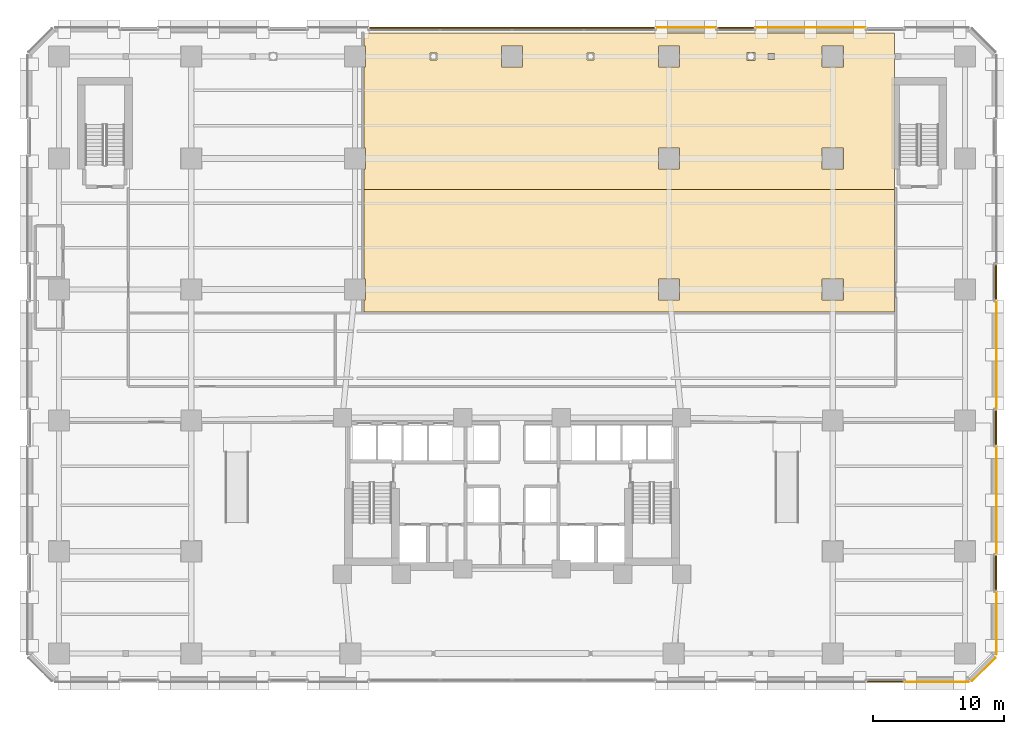
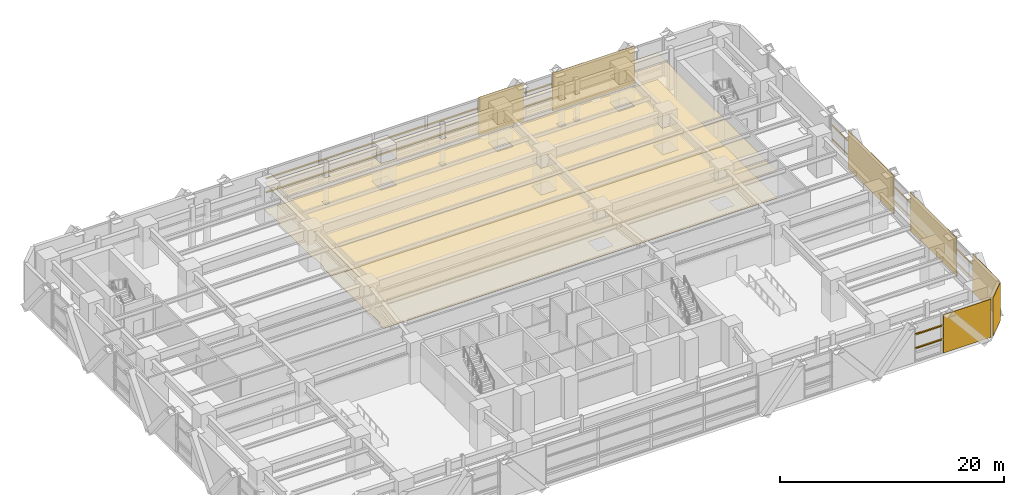
# One storey, part 25 of 26: 12 shading devices, 11 coverings.
"""IFC4 building model written with IfcOpenShell, lengths in metres."""

from ifc_helpers import new_model, si_unit, direction, frame, origin, origin_2d, place, context, subcontext, project, spatial, polyline, rectangle, outline, extrude, material, layer, layer_set, material_profile, profile_set, type_object, element, save


model = new_model("IFC4")

# Units and contexts
model_context = context("Model", 3, precision=1e-05, world=origin(), true_north=direction((0.0, 1.0)))
body_context = subcontext(model_context, "Body", "Model", "MODEL_VIEW")
ifc_project = project(units=[si_unit("LENGTHUNIT", "METRE"), si_unit("AREAUNIT", "SQUARE_METRE"), si_unit("VOLUMEUNIT", "CUBIC_METRE"), si_unit("PLANEANGLEUNIT", "RADIAN"), si_unit("MASSUNIT", "GRAM", prefix="KILO")], contexts=[model_context])

# Site, building, storey
site_placement = place(None, origin())
site = spatial("IfcSite", under=ifc_project, at=site_placement, CompositionType="ELEMENT")
building_placement = place(site_placement, origin())
building = spatial("IfcBuilding", under=site, at=building_placement, Name="Quenlor Broadcast Tower", CompositionType="ELEMENT")
storey_placement = place(building_placement, frame((0.0, 0.0, 5.0)))
storey = spatial("IfcBuildingStorey", under=building, at=storey_placement, Name="L01", CompositionType="ELEMENT", Elevation=5.0)

# Coverings
ifc_material_1 = material(Name="Acoustic Mineral Fibre Board", Category="other")
ifc_layer_1 = layer(ifc_material_1, 0.02490234375)
ifc_layer_set_1 = layer_set([ifc_layer_1], Name="Acoustic Perforated Mineral Tile Ceiling 25")
covering_type_1 = type_object("IfcCoveringType", Name="Acoustic Perforated Mineral Tile Ceiling 25", PredefinedType="CEILING", material=ifc_layer_set_1)
covering_1_placement = place(storey_placement, frame((0.0, 0.0, 2.925048828125)))
element("IfcCovering", 1, at=covering_1_placement, inside=storey, type_object=covering_type_1, Name="L01 Acoustic Ceiling L01-38", PredefinedType="CEILING", context=body_context, shape_type="SweptSolid", body=[
    extrude(outline(polyline([(-11.19189453125, 4.19189453125), (-11.19189453125, 5.80810546875), (-11.320068359375, 5.80810546875), (-11.320068359375, 12.64990234375), (29.199951171875, 12.64990234375), (29.199951171875, 3.280029296875), (-11.320068359375, 3.280029296875), (-11.320068359375, 4.19189453125), (-11.19189453125, 4.19189453125)]), holes=[polyline([(12.80810546875, 4.19189453125), (12.80810546875, 5.80810546875), (11.19189453125, 5.80810546875), (11.19189453125, 4.19189453125), (12.80810546875, 4.19189453125)]), polyline([(25.30810546875, 4.19189453125), (25.30810546875, 5.80810546875), (23.69189453125, 5.80810546875), (23.69189453125, 4.19189453125), (25.30810546875, 4.19189453125)])]), origin(), (0.0, 0.0, 1.0), 0.02490234375),
])
covering_2_placement = place(storey_placement, frame((0.0, 0.0, 2.925048828125)))
element("IfcCovering", 2, at=covering_2_placement, inside=storey, type_object=covering_type_1, Name="L01 Acoustic Ceiling L01-38-2", PredefinedType="CEILING", context=body_context, shape_type="SweptSolid", body=[
    extrude(outline(polyline([(-11.320068359375, 14.19189453125), (-11.19189453125, 14.19189453125), (-11.19189453125, 15.80810546875), (-11.320068359375, 15.80810546875), (-11.320068359375, 21.991943359375), (-11.19189453125, 21.991943359375), (-11.19189453125, 23.60791015625), (-11.320068359375, 23.60791015625), (-11.320068359375, 24.580078125), (29.199951171875, 24.580078125), (29.199951171875, 12.64990234375), (-11.320068359375, 12.64990234375), (-11.320068359375, 14.19189453125)]), holes=[polyline([(12.80810546875, 14.19189453125), (12.80810546875, 15.80810546875), (11.19189453125, 15.80810546875), (11.19189453125, 14.19189453125), (12.80810546875, 14.19189453125)]), polyline([(0.80810546875, 21.991943359375), (0.80810546875, 23.60791015625), (-0.80810546875, 23.60791015625), (-0.80810546875, 21.991943359375), (0.80810546875, 21.991943359375)]), polyline([(6.261962890625, 22.5380859375), (6.261962890625, 23.06201171875), (5.738037109375, 23.06201171875), (5.738037109375, 22.5380859375), (6.261962890625, 22.5380859375)]), polyline([(-5.738037109375, 22.5380859375), (-5.738037109375, 23.06201171875), (-6.261962890625, 23.06201171875), (-6.261962890625, 22.5380859375), (-5.738037109375, 22.5380859375)]), polyline([(12.80810546875, 21.991943359375), (12.80810546875, 23.60791015625), (11.19189453125, 23.60791015625), (11.19189453125, 21.991943359375), (12.80810546875, 21.991943359375)]), polyline([(25.30810546875, 14.19189453125), (25.30810546875, 15.80810546875), (23.69189453125, 15.80810546875), (23.69189453125, 14.19189453125), (25.30810546875, 14.19189453125)]), polyline([(20.032958984375, 22.56689453125), (20.032958984375, 23.032958984375), (19.56689453125, 23.032958984375), (19.56689453125, 22.56689453125), (20.032958984375, 22.56689453125)]), polyline([(25.30810546875, 21.991943359375), (25.30810546875, 23.60791015625), (23.69189453125, 23.60791015625), (23.69189453125, 21.991943359375), (25.30810546875, 21.991943359375)]), polyline([(18.56298828125, 22.487060546875), (18.56298828125, 23.113037109375), (17.93701171875, 23.113037109375), (17.93701171875, 22.487060546875), (18.56298828125, 22.487060546875)])]), origin(), (0.0, 0.0, 1.0), 0.02490234375),
])

# Shading devices
ifc_material_2 = material(Name="Architectural Terracotta Ceramic", Category="masonry")
ifc_material_profile = material_profile(ifc_material_2, rectangle(XDim=0.090087890625, YDim=0.139892578125, at=origin_2d()))
ifc_profile_set = profile_set([ifc_material_profile], Name="Architectural Terracotta Ceramic BAG90x140")
shading_device_type = type_object("IfcShadingDeviceType", Name="Copper Terracotta Baguette Solar Screen 140", PredefinedType="USERDEFINED", material=ifc_profile_set)
for number, where, z_axis, x_axis, name in (
    (3, (29.909423828125, -24.972900390625, 1.511962890625), (-1.0, 0.0, 0.0), (0.0, -1.0, 0.0), "L01 Terracotta Baguette Screen 1"),
    (4, (29.909423828125, -24.972900390625, 3.02392578125), (-1.0, 0.0, 0.0), (0.0, -1.0, 0.0), "L01 Terracotta Baguette Screen 2"),
):
    element("IfcShadingDevice", number, at=place(storey_placement, frame(where, z_axis=z_axis, x_axis=x_axis)), inside=storey, type_object=shading_device_type, Name=name, ObjectType="BAGUETTE", PredefinedType="USERDEFINED", context=body_context, shape_type="SweptSolid", body=[
        extrude(rectangle(XDim=0.090087890625, YDim=0.139892578125, at=origin_2d()), origin(), (0.0, 0.0, 1.0), 2.81884765625),
    ])
for number, where, z_axis, x_axis, name in (
    (5, (-10.909423828125, 24.972900390625, 1.511962890625), (1.0, 0.0, 0.0), (0.0, 1.0, 0.0), "L01 Terracotta Baguette Screen 1"),
    (6, (-10.909423828125, 24.972900390625, 3.02392578125), (1.0, 0.0, 0.0), (0.0, 1.0, 0.0), "L01 Terracotta Baguette Screen 2"),
):
    element("IfcShadingDevice", number, at=place(storey_placement, frame(where, z_axis=z_axis, x_axis=x_axis)), inside=storey, type_object=shading_device_type, Name=name, ObjectType="BAGUETTE", PredefinedType="USERDEFINED", context=body_context, shape_type="SweptSolid", body=[
        extrude(rectangle(XDim=0.090087890625, YDim=0.139892578125, at=origin_2d()), origin(), (0.0, 0.0, 1.0), 21.81884765625),
    ])
for number, where, z_axis, x_axis, name in (
    (7, (15.6904296875, 24.972900390625, 1.511962890625), (1.0, 0.0, 0.0), (0.0, 1.0, 0.0), "L01 Terracotta Baguette Screen 1"),
    (8, (15.6904296875, 24.972900390625, 3.02392578125), (1.0, 0.0, 0.0), (0.0, 1.0, 0.0), "L01 Terracotta Baguette Screen 2"),
):
    element("IfcShadingDevice", number, at=place(storey_placement, frame(where, z_axis=z_axis, x_axis=x_axis)), inside=storey, type_object=shading_device_type, Name=name, ObjectType="BAGUETTE", PredefinedType="USERDEFINED", context=body_context, shape_type="SweptSolid", body=[
        extrude(rectangle(XDim=0.090087890625, YDim=0.139892578125, at=origin_2d()), origin(), (0.0, 0.0, 1.0), 2.819091796875),
    ])
for number, where, z_axis, x_axis, name in (
    (9, (36.972900390625, 6.90625, 1.511962890625), (0.0, -1.0, 0.0), (1.0, 0.0, 0.0), "L01 Terracotta Baguette Screen 1"),
    (10, (36.972900390625, 6.90625, 3.02392578125), (0.0, -1.0, 0.0), (1.0, 0.0, 0.0), "L01 Terracotta Baguette Screen 2"),
    (11, (36.972900390625, -4.193603515625, 1.511962890625), (0.0, -1.0, 0.0), (1.0, 0.0, 0.0), "L01 Terracotta Baguette Screen 1"),
    (12, (36.972900390625, -4.193603515625, 3.02392578125), (0.0, -1.0, 0.0), (1.0, 0.0, 0.0), "L01 Terracotta Baguette Screen 2"),
    (13, (36.972900390625, -15.293701171875, 1.511962890625), (0.0, -1.0, 0.0), (1.0, 0.0, 0.0), "L01 Terracotta Baguette Screen 1"),
    (14, (36.972900390625, -15.293701171875, 3.02392578125), (0.0, -1.0, 0.0), (1.0, 0.0, 0.0), "L01 Terracotta Baguette Screen 2"),
):
    element("IfcShadingDevice", number, at=place(storey_placement, frame(where, z_axis=z_axis, x_axis=x_axis)), inside=storey, type_object=shading_device_type, Name=name, ObjectType="BAGUETTE", PredefinedType="USERDEFINED", context=body_context, shape_type="SweptSolid", body=[
        extrude(rectangle(XDim=0.090087890625, YDim=0.139892578125, at=origin_2d()), origin(), (0.0, 0.0, 1.0), 2.712646484375),
    ])

# Coverings
ifc_material_3 = material(Name="Architectural Terracotta Ceramic", Category="masonry")
ifc_layer_2 = layer(ifc_material_3, 0.044921875)
ifc_layer_set_2 = layer_set([ifc_layer_2], Name="Fluted Terracotta Rainscreen Cladding Panel")
covering_type_2 = type_object("IfcCoveringType", Name="Fluted Terracotta Rainscreen Cladding Panel", PredefinedType="CLADDING", material=ifc_layer_set_2)
covering_3_placement = place(storey_placement, frame((0.0, 0.0, 0.02001953125)))
element("IfcCovering", 15, at=covering_3_placement, inside=storey, type_object=covering_type_2, Name="L01 Terracotta Rainscreen Cladding L01-S-FULL-SP1", PredefinedType="CLADDING", context=body_context, shape_type="SweptSolid", body=[
    extrude(outline(polyline([(34.8701171875, -24.971923828125), (29.98046875, -24.971923828125), (29.98046875, -25.01708984375), (34.8701171875, -25.01708984375), (34.8701171875, -24.971923828125)])), origin(), (0.0, 0.0, 1.0), 4.159912109375),
])
covering_4_placement = place(storey_placement, frame((0.0, 0.0, 0.02001953125)))
element("IfcCovering", 16, at=covering_4_placement, inside=storey, type_object=covering_type_2, Name="L01 Terracotta Rainscreen Cladding L01-N-FULL-SP4", PredefinedType="CLADDING", context=body_context, shape_type="SweptSolid", body=[
    extrude(outline(polyline([(10.98046875, 24.971923828125), (15.619384765625, 24.971923828125), (15.619384765625, 25.01708984375), (10.98046875, 25.01708984375), (10.98046875, 24.971923828125)])), origin(), (0.0, 0.0, 1.0), 4.159912109375),
])
covering_5_placement = place(storey_placement, frame((0.0, 0.0, 0.02001953125)))
element("IfcCovering", 17, at=covering_5_placement, inside=storey, type_object=covering_type_2, Name="L01 Terracotta Rainscreen Cladding L01-N-FULL-SP5", PredefinedType="CLADDING", context=body_context, shape_type="SweptSolid", body=[
    extrude(outline(polyline([(18.58056640625, 24.971923828125), (27.01953125, 24.971923828125), (27.01953125, 25.01708984375), (18.58056640625, 25.01708984375), (18.58056640625, 24.971923828125)])), origin(), (0.0, 0.0, 1.0), 4.159912109375),
])
covering_6_placement = place(storey_placement, frame((0.0, 0.0, 0.02001953125)))
element("IfcCovering", 18, at=covering_6_placement, inside=storey, type_object=covering_type_2, Name="L01 Terracotta Rainscreen Cladding L01-E-FULL-SP3", PredefinedType="CLADDING", context=body_context, shape_type="SweptSolid", body=[
    extrude(outline(polyline([(36.971923828125, 4.122802734375), (36.971923828125, -4.122802734375), (37.01708984375, -4.122802734375), (37.01708984375, 4.122802734375), (36.971923828125, 4.122802734375)])), origin(), (0.0, 0.0, 1.0), 4.159912109375),
])
covering_7_placement = place(storey_placement, frame((0.0, 0.0, 0.02001953125)))
element("IfcCovering", 19, at=covering_7_placement, inside=storey, type_object=covering_type_2, Name="L01 Terracotta Rainscreen Cladding L01-E-FULL-SP4", PredefinedType="CLADDING", context=body_context, shape_type="SweptSolid", body=[
    extrude(outline(polyline([(36.971923828125, -6.977294921875), (36.971923828125, -15.22265625), (37.01708984375, -15.22265625), (37.01708984375, -6.977294921875), (36.971923828125, -6.977294921875)])), origin(), (0.0, 0.0, 1.0), 4.159912109375),
])
covering_8_placement = place(storey_placement, frame((0.0, 0.0, 0.02001953125)))
element("IfcCovering", 20, at=covering_8_placement, inside=storey, type_object=covering_type_2, Name="L01 Terracotta Rainscreen Cladding L01-E-FULL-SP5", PredefinedType="CLADDING", context=body_context, shape_type="SweptSolid", body=[
    extrude(outline(polyline([(36.971923828125, -18.077392578125), (36.971923828125, -22.8701171875), (37.01708984375, -22.8701171875), (37.01708984375, -18.077392578125), (36.971923828125, -18.077392578125)])), origin(), (0.0, 0.0, 1.0), 4.159912109375),
])
covering_9_placement = place(storey_placement, frame((0.0, 0.0, 0.02001953125)))
element("IfcCovering", 21, at=covering_9_placement, inside=storey, type_object=covering_type_2, Name="L01 Terracotta Rainscreen Cladding L01-EW-CSE", PredefinedType="CLADDING", context=body_context, shape_type="SweptSolid", body=[
    extrude(outline(polyline([(36.90625, -23.128662109375), (35.128662109375, -24.90625), (35.160400390625, -24.93798828125), (36.93798828125, -23.160400390625), (36.90625, -23.128662109375)])), origin(), (0.0, 0.0, 1.0), 4.159912109375),
])
ifc_material_4 = material(Name="Terrazzo Stone Finish", Category="masonry")
ifc_layer_3 = layer(ifc_material_4, 0.02001953125)
ifc_layer_set_3 = layer_set([ifc_layer_3], Name="Polished Sandstone Terrazzo Flooring 20")
covering_type_3 = type_object("IfcCoveringType", Name="Polished Sandstone Terrazzo Flooring 20", PredefinedType="FLOORING", material=ifc_layer_set_3)
covering_10_placement = place(storey_placement, origin())
element("IfcCovering", 22, at=covering_10_placement, inside=storey, type_object=covering_type_3, Name="L01 Terrazzo Flooring L01-38", PredefinedType="FLOORING", context=body_context, shape_type="SweptSolid", body=[
    extrude(outline(polyline([(-11.19189453125, 4.19189453125), (-11.19189453125, 5.80810546875), (-11.320068359375, 5.80810546875), (-11.320068359375, 12.64990234375), (29.199951171875, 12.64990234375), (29.199951171875, 3.280029296875), (-11.320068359375, 3.280029296875), (-11.320068359375, 4.19189453125), (-11.19189453125, 4.19189453125)]), holes=[polyline([(12.80810546875, 4.19189453125), (12.80810546875, 5.80810546875), (11.19189453125, 5.80810546875), (11.19189453125, 4.19189453125), (12.80810546875, 4.19189453125)]), polyline([(25.30810546875, 4.19189453125), (25.30810546875, 5.80810546875), (23.69189453125, 5.80810546875), (23.69189453125, 4.19189453125), (25.30810546875, 4.19189453125)])]), origin(), (0.0, 0.0, 1.0), 0.02001953125),
])
covering_11_placement = place(storey_placement, origin())
element("IfcCovering", 23, at=covering_11_placement, inside=storey, type_object=covering_type_3, Name="L01 Terrazzo Flooring L01-38-2", PredefinedType="FLOORING", context=body_context, shape_type="SweptSolid", body=[
    extrude(outline(polyline([(-11.320068359375, 14.19189453125), (-11.19189453125, 14.19189453125), (-11.19189453125, 15.80810546875), (-11.320068359375, 15.80810546875), (-11.320068359375, 21.991943359375), (-11.19189453125, 21.991943359375), (-11.19189453125, 23.60791015625), (-11.320068359375, 23.60791015625), (-11.320068359375, 24.580078125), (29.199951171875, 24.580078125), (29.199951171875, 12.64990234375), (-11.320068359375, 12.64990234375), (-11.320068359375, 14.19189453125)]), holes=[polyline([(12.80810546875, 14.19189453125), (12.80810546875, 15.80810546875), (11.19189453125, 15.80810546875), (11.19189453125, 14.19189453125), (12.80810546875, 14.19189453125)]), polyline([(0.80810546875, 21.991943359375), (0.80810546875, 23.60791015625), (-0.80810546875, 23.60791015625), (-0.80810546875, 21.991943359375), (0.80810546875, 21.991943359375)]), polyline([(6.261962890625, 22.5380859375), (6.261962890625, 23.06201171875), (5.738037109375, 23.06201171875), (5.738037109375, 22.5380859375), (6.261962890625, 22.5380859375)]), polyline([(-5.738037109375, 22.5380859375), (-5.738037109375, 23.06201171875), (-6.261962890625, 23.06201171875), (-6.261962890625, 22.5380859375), (-5.738037109375, 22.5380859375)]), polyline([(12.80810546875, 21.991943359375), (12.80810546875, 23.60791015625), (11.19189453125, 23.60791015625), (11.19189453125, 21.991943359375), (12.80810546875, 21.991943359375)]), polyline([(25.30810546875, 14.19189453125), (25.30810546875, 15.80810546875), (23.69189453125, 15.80810546875), (23.69189453125, 14.19189453125), (25.30810546875, 14.19189453125)]), polyline([(20.032958984375, 22.56689453125), (20.032958984375, 23.032958984375), (19.56689453125, 23.032958984375), (19.56689453125, 22.56689453125), (20.032958984375, 22.56689453125)]), polyline([(25.30810546875, 21.991943359375), (25.30810546875, 23.60791015625), (23.69189453125, 23.60791015625), (23.69189453125, 21.991943359375), (25.30810546875, 21.991943359375)]), polyline([(18.56298828125, 22.487060546875), (18.56298828125, 23.113037109375), (17.93701171875, 23.113037109375), (17.93701171875, 22.487060546875), (18.56298828125, 22.487060546875)])]), origin(), (0.0, 0.0, 1.0), 0.02001953125),
])

save(model, "model.ifc")
